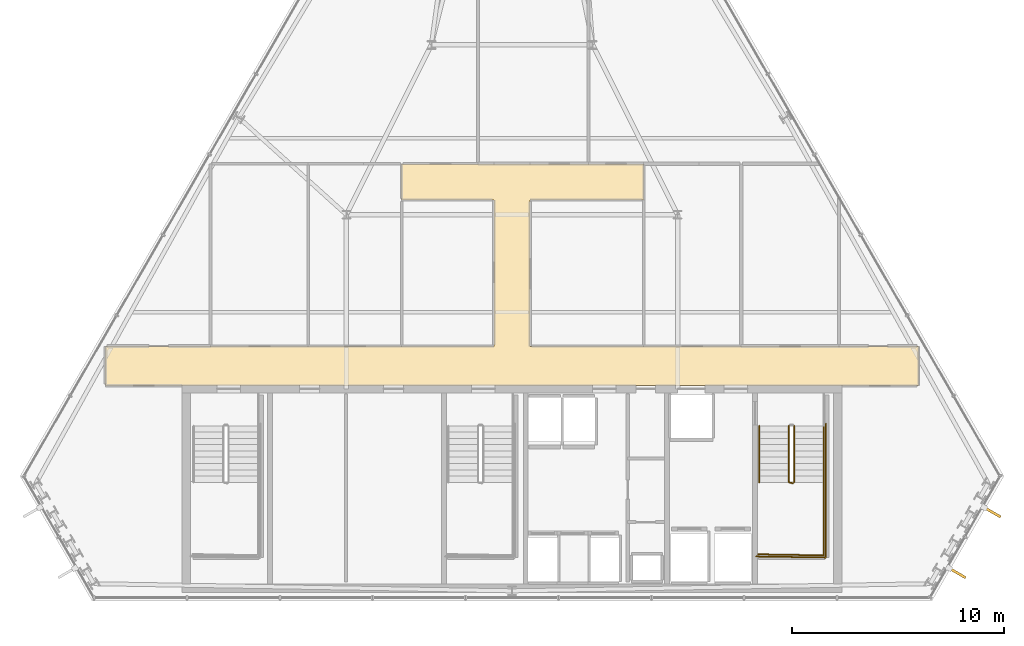
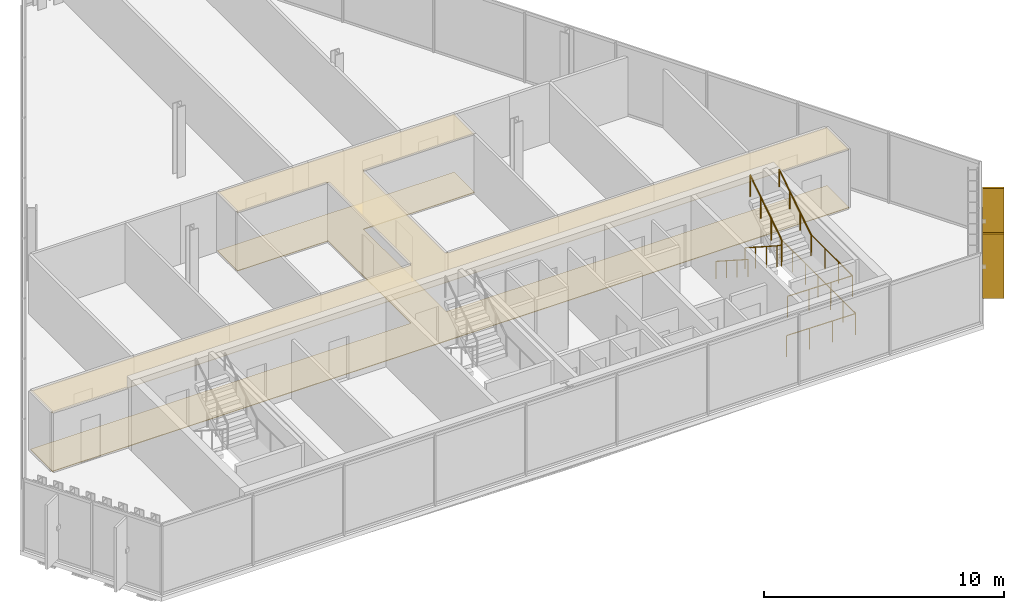
# One storey, part 28 of 29: 6 railings, 2 coverings, 2 shading devices.
"""IFC4 building model written with IfcOpenShell, lengths in metres."""

from ifc_helpers import new_model, si_unit, direction, frame, origin, origin_2d, place, context, subcontext, project, spatial, polyline, rectangle, circle, outline, extrude, material, layer, layer_set, type_object, element, save


model = new_model("IFC4")

# Units and contexts
model_context = context("Model", 3, precision=1e-05, world=origin(), true_north=direction((0.0, 1.0)))
body_context = subcontext(model_context, "Body", "Model", "MODEL_VIEW")
ifc_project = project(units=[si_unit("LENGTHUNIT", "METRE"), si_unit("AREAUNIT", "SQUARE_METRE"), si_unit("VOLUMEUNIT", "CUBIC_METRE"), si_unit("PLANEANGLEUNIT", "RADIAN"), si_unit("MASSUNIT", "GRAM", prefix="KILO")], contexts=[model_context])

# Site, building, storey
site_placement = place(None, origin())
site = spatial("IfcSite", under=ifc_project, at=site_placement, CompositionType="ELEMENT")
building_placement = place(site_placement, origin())
building = spatial("IfcBuilding", under=site, at=building_placement, Name="Ndaravel Arena Tower", CompositionType="ELEMENT")
storey_placement = place(building_placement, frame((0.0, 0.0, 244.60009765625)))
storey = spatial("IfcBuildingStorey", under=building, at=storey_placement, Name="L59", CompositionType="ELEMENT", Elevation=244.60009765625)

# Coverings
ifc_material_1 = material(Name="Acoustic Ceiling Tile", Category="finish")
ifc_layer_1 = layer(ifc_material_1, 0.02490234375)
ifc_layer_set_1 = layer_set([ifc_layer_1], Name="Acoustic Ceiling Tile")
covering_type_1 = type_object("IfcCoveringType", Name="COV-CEIL-AC600", PredefinedType="CEILING", material=ifc_layer_set_1)
covering_1_placement = place(storey_placement, frame((0.0, 0.0, 2.98046875)))
element("IfcCovering", 1, at=covering_1_placement, inside=storey, type_object=covering_type_1, Name="L59 Corridor Acoustic Ceiling", PredefinedType="CEILING", context=body_context, shape_type="SweptSolid", body=[
    extrude(outline(polyline([(61.154052734375, 17.0), (42.85009765625, 17.0), (42.85009765625, 23.89990234375), (48.199951171875, 23.89990234375), (48.199951171875, 25.60009765625), (42.85009765625, 25.60009765625), (41.14990234375, 25.60009765625), (36.800048828125, 25.60009765625), (36.800048828125, 23.89990234375), (41.14990234375, 23.89990234375), (41.14990234375, 17.0), (22.845947265625, 17.0), (22.845947265625, 15.14990234375), (61.154052734375, 15.14990234375), (61.154052734375, 17.0)])), origin(), (0.0, 0.0, 1.0), 0.02490234375),
])
ifc_material_2 = material(Name="Terrazzo", Category="stone")
ifc_layer_2 = layer(ifc_material_2, 0.030029296875)
ifc_layer_set_2 = layer_set([ifc_layer_2], Name="Terrazzo")
covering_type_2 = type_object("IfcCoveringType", Name="COV-FLOOR-TERRAZZO", PredefinedType="FLOORING", material=ifc_layer_set_2)
covering_2_placement = place(storey_placement, origin())
element("IfcCovering", 2, at=covering_2_placement, inside=storey, type_object=covering_type_2, Name="L59 Corridor Terrazzo Flooring", PredefinedType="FLOORING", context=body_context, shape_type="SweptSolid", body=[
    extrude(outline(polyline([(61.154052734375, 17.0), (42.85009765625, 17.0), (42.85009765625, 23.89990234375), (48.199951171875, 23.89990234375), (48.199951171875, 25.60009765625), (42.85009765625, 25.60009765625), (41.14990234375, 25.60009765625), (36.800048828125, 25.60009765625), (36.800048828125, 23.89990234375), (41.14990234375, 23.89990234375), (41.14990234375, 17.0), (22.845947265625, 17.0), (22.845947265625, 15.14990234375), (61.154052734375, 15.14990234375), (61.154052734375, 17.0)])), origin(), (0.0, 0.0, 1.0), 0.02978515625),
])

# Railings
ifc_material_3 = material(Name="Steel S355", Category="steel")
ifc_layer_3 = layer(ifc_material_3, 0.06005859375)
ifc_layer_set_3 = layer_set([ifc_layer_3], Name="Steel S355")
railing_type_1 = type_object("IfcRailingType", Name="RAIL-STAIR-GD1100", PredefinedType="GUARDRAIL", material=ifc_layer_set_3)
railing_1_placement = place(storey_placement, frame((55.050048828125, 13.25, 0.18994140625)))
element("IfcRailing", 3, at=railing_1_placement, inside=storey, type_object=railing_type_1, Name="L59 ST-3 stair guard 1", PredefinedType="GUARDRAIL", context=body_context, shape_type="SweptSolid", body=[
    extrude(circle(Radius=0.02392578125, at=origin_2d()), frame((0.0, 0.0, 1.076171875), z_axis=(0.0, -0.840723540582, 0.54146461409), x_axis=(1.0, 0.0, 0.0)), (0.0, 0.0, 1.0), 3.157958984375),
    extrude(circle(Radius=0.02392578125, at=origin_2d()), frame((0.0, -2.655029296875, 2.7861328125), z_axis=(0.966993988697, -0.254799187253, 0.0), x_axis=(0.254799187253, 0.966993988697, 0.0)), (0.0, 0.0, 1.0), 0.196533203125),
    extrude(circle(Radius=0.02099609375, at=origin_2d()), origin(), (0.0, 0.0, 1.0), 1.052001953125),
    extrude(circle(Radius=0.02099609375, at=origin_2d()), frame((0.0, -0.885009765625, 0.570068359375)), (0.0, 0.0, 1.0), 1.052001953125),
    extrude(circle(Radius=0.02099609375, at=origin_2d()), frame((0.0, -1.77001953125, 1.139892578125)), (0.0, 0.0, 1.0), 1.052001953125),
    extrude(circle(Radius=0.02099609375, at=origin_2d()), frame((0.0, -2.655029296875, 1.7099609375)), (0.0, 0.0, 1.0), 1.052001953125),
    extrude(circle(Radius=0.02099609375, at=origin_2d()), frame((0.18994140625, -2.705078125, 1.7099609375)), (0.0, 0.0, 1.0), 1.052001953125),
])
railing_2_placement = place(storey_placement, frame((56.68994140625, 10.594970703125, 1.89990234375)))
element("IfcRailing", 4, at=railing_2_placement, inside=storey, type_object=railing_type_1, Name="L59 ST-3 stair guard 2", PredefinedType="GUARDRAIL", context=body_context, shape_type="SweptSolid", body=[
    extrude(circle(Radius=0.02392578125, at=origin_2d()), frame((0.0, 0.0, 1.076171875), z_axis=(0.0, -1.0, 0.0), x_axis=(1.0, 0.0, 0.0)), (0.0, 0.0, 1.0), 3.445068359375),
    extrude(circle(Radius=0.02392578125, at=origin_2d()), frame((0.0, -3.445068359375, 1.076171875), z_axis=(-0.999868840623, 0.016195726322, 0.0), x_axis=(-0.016195726322, -0.999868840623, 0.0)), (0.0, 0.0, 1.0), 3.09033203125),
    extrude(circle(Radius=0.02099609375, at=origin_2d()), origin(), (0.0, 0.0, 1.0), 1.052001953125),
    extrude(circle(Radius=0.02099609375, at=origin_2d()), frame((0.0, -1.1484375, 0.0)), (0.0, 0.0, 1.0), 1.052001953125),
    extrude(circle(Radius=0.02099609375, at=origin_2d()), frame((0.0, -2.296630859375, 0.0)), (0.0, 0.0, 1.0), 1.052001953125),
    extrude(circle(Radius=0.02099609375, at=origin_2d()), frame((0.0, -3.445068359375, 0.0)), (0.0, 0.0, 1.0), 1.052001953125),
    extrude(circle(Radius=0.02099609375, at=origin_2d()), frame((-1.030029296875, -3.428466796875, 0.0)), (0.0, 0.0, 1.0), 1.052001953125),
    extrude(circle(Radius=0.02099609375, at=origin_2d()), frame((-2.059814453125, -3.41162109375, 0.0)), (0.0, 0.0, 1.0), 1.052001953125),
    extrude(circle(Radius=0.02099609375, at=origin_2d()), frame((-3.08984375, -3.39501953125, 0.0)), (0.0, 0.0, 1.0), 1.052001953125),
])
railing_3_placement = place(storey_placement, frame((55.2900390625, 10.594970703125, 2.08984375)))
element("IfcRailing", 5, at=railing_3_placement, inside=storey, type_object=railing_type_1, Name="L59 ST-3 stair guard 3", PredefinedType="GUARDRAIL", context=body_context, shape_type="SweptSolid", body=[
    extrude(circle(Radius=0.02392578125, at=origin_2d()), frame((0.0, 0.0, 1.076171875), z_axis=(0.0, 0.840723540582, 0.54146461409), x_axis=(-1.0, 0.0, 0.0)), (0.0, 0.0, 1.0), 3.157958984375),
    extrude(circle(Radius=0.02099609375, at=origin_2d()), origin(), (0.0, 0.0, 1.0), 1.052001953125),
    extrude(circle(Radius=0.02099609375, at=origin_2d()), frame((0.0, 0.885009765625, 0.570068359375)), (0.0, 0.0, 1.0), 1.052001953125),
    extrude(circle(Radius=0.02099609375, at=origin_2d()), frame((0.0, 1.77001953125, 1.139892578125)), (0.0, 0.0, 1.0), 1.052001953125),
    extrude(circle(Radius=0.02099609375, at=origin_2d()), frame((0.0, 2.655029296875, 1.7099609375)), (0.0, 0.0, 1.0), 1.052001953125),
])
railing_4_placement = place(storey_placement, frame((56.7900390625, 13.35009765625, 0.0)))
element("IfcRailing", 6, at=railing_4_placement, inside=storey, type_object=railing_type_1, Name="L59 ST-3 stair guard 6", PredefinedType="GUARDRAIL", context=body_context, shape_type="SweptSolid", body=[
    extrude(circle(Radius=0.02392578125, at=origin_2d()), frame((0.0, 0.0, 1.076171875), z_axis=(0.0, -1.0, 0.0), x_axis=(1.0, 0.0, 0.0)), (0.0, 0.0, 1.0), 6.300048828125),
    extrude(circle(Radius=0.02392578125, at=origin_2d()), frame((0.0, -6.300048828125, 1.076171875), z_axis=(-0.99988431412, 0.015210469308, 0.0), x_axis=(-0.015210469308, -0.99988431412, 0.0)), (0.0, 0.0, 1.0), 3.29052734375),
    extrude(circle(Radius=0.02099609375, at=origin_2d()), origin(), (0.0, 0.0, 1.0), 1.052001953125),
    extrude(circle(Radius=0.02099609375, at=origin_2d()), frame((0.0, -1.050048828125, 0.0)), (0.0, 0.0, 1.0), 1.052001953125),
    extrude(circle(Radius=0.02099609375, at=origin_2d()), frame((0.0, -2.10009765625, 0.0)), (0.0, 0.0, 1.0), 1.052001953125),
    extrude(circle(Radius=0.02099609375, at=origin_2d()), frame((0.0, -3.14990234375, 0.0)), (0.0, 0.0, 1.0), 1.052001953125),
    extrude(circle(Radius=0.02099609375, at=origin_2d()), frame((0.0, -4.199951171875, 0.0)), (0.0, 0.0, 1.0), 1.052001953125),
    extrude(circle(Radius=0.02099609375, at=origin_2d()), frame((0.0, -5.25, 0.0)), (0.0, 0.0, 1.0), 1.052001953125),
    extrude(circle(Radius=0.02099609375, at=origin_2d()), frame((0.0, -6.300048828125, 0.0)), (0.0, 0.0, 1.0), 1.052001953125),
    extrude(circle(Radius=0.02099609375, at=origin_2d()), frame((-1.0966796875, -6.283447265625, 0.0)), (0.0, 0.0, 1.0), 1.052001953125),
    extrude(circle(Radius=0.02099609375, at=origin_2d()), frame((-2.193359375, -6.2666015625, 0.0)), (0.0, 0.0, 1.0), 1.052001953125),
    extrude(circle(Radius=0.02099609375, at=origin_2d()), frame((-3.2900390625, -6.25, 0.0)), (0.0, 0.0, 1.0), 1.052001953125),
])
ifc_material_4 = material(Name="Steel S355", Category="steel")
ifc_layer_4 = layer(ifc_material_4, 0.050048828125)
ifc_layer_set_4 = layer_set([ifc_layer_4], Name="Steel S355")
railing_type_2 = type_object("IfcRailingType", Name="RAIL-STAIR-HR920", PredefinedType="HANDRAIL", material=ifc_layer_set_4)
railing_5_placement = place(storey_placement, frame((53.64990234375, 13.25, 0.18994140625)))
element("IfcRailing", 7, at=railing_5_placement, inside=storey, type_object=railing_type_2, Name="L59 ST-3 stair handrail 1", PredefinedType="HANDRAIL", context=body_context, shape_type="SweptSolid", body=[
    extrude(circle(Radius=0.02392578125, at=origin_2d()), frame((0.0, 0.0, 0.8759765625), z_axis=(0.0, -0.840723540582, 0.54146461409), x_axis=(1.0, 0.0, 0.0)), (0.0, 0.0, 1.0), 3.157958984375),
    extrude(circle(Radius=0.02099609375, at=origin_2d()), origin(), (0.0, 0.0, 1.0), 0.851806640625),
    extrude(circle(Radius=0.02099609375, at=origin_2d()), frame((0.0, -0.885009765625, 0.570068359375)), (0.0, 0.0, 1.0), 0.851806640625),
    extrude(circle(Radius=0.02099609375, at=origin_2d()), frame((0.0, -1.77001953125, 1.139892578125)), (0.0, 0.0, 1.0), 0.851806640625),
    extrude(circle(Radius=0.02099609375, at=origin_2d()), frame((0.0, -2.655029296875, 1.7099609375)), (0.0, 0.0, 1.0), 0.851806640625),
])
railing_6_placement = place(storey_placement, frame((56.68994140625, 10.594970703125, 2.08984375)))
element("IfcRailing", 8, at=railing_6_placement, inside=storey, type_object=railing_type_2, Name="L59 ST-3 stair handrail 2", PredefinedType="HANDRAIL", context=body_context, shape_type="SweptSolid", body=[
    extrude(circle(Radius=0.02392578125, at=origin_2d()), frame((0.0, 0.0, 0.8759765625), z_axis=(0.0, 0.840723540582, 0.54146461409), x_axis=(-1.0, 0.0, 0.0)), (0.0, 0.0, 1.0), 3.157958984375),
    extrude(circle(Radius=0.02099609375, at=origin_2d()), origin(), (0.0, 0.0, 1.0), 0.851806640625),
    extrude(circle(Radius=0.02099609375, at=origin_2d()), frame((0.0, 0.885009765625, 0.570068359375)), (0.0, 0.0, 1.0), 0.851806640625),
    extrude(circle(Radius=0.02099609375, at=origin_2d()), frame((0.0, 1.77001953125, 1.139892578125)), (0.0, 0.0, 1.0), 0.851806640625),
    extrude(circle(Radius=0.02099609375, at=origin_2d()), frame((0.0, 2.655029296875, 1.7099609375)), (0.0, 0.0, 1.0), 0.851806640625),
])

# Shading devices
ifc_material_5 = material(Name="Masonry", Category="masonry")
shading_device_type = type_object("IfcShadingDeviceType", Name="SHD-MAZERAS-FIN", PredefinedType="SHUTTER", material=ifc_material_5)
for number, where, z_axis, x_axis, name in (
    (9, (62.98046875, 6.323486328125, 0.14990234375), (0.0, 0.0, 1.0), (0.866025403784, -0.5, 0.0), "L59 Mazeras Stone Solar Fin E2.1"),
    (10, (64.632080078125, 9.1845703125, 0.14990234375), (0.0, 0.0, 1.0), (0.866025403784, -0.5, 0.0), "L59 Mazeras Stone Solar Fin E2.2"),
):
    element("IfcShadingDevice", number, at=place(storey_placement, frame(where, z_axis=z_axis, x_axis=x_axis)), inside=storey, type_object=shading_device_type, Name=name, PredefinedType="SHUTTER", context=body_context, shape_type="SweptSolid", body=[
        extrude(rectangle(XDim=0.89990234375, YDim=0.1201171875, at=origin_2d()), origin(), (0.0, 0.0, 1.0), 3.280029296875),
    ])

save(model, "model.ifc")
